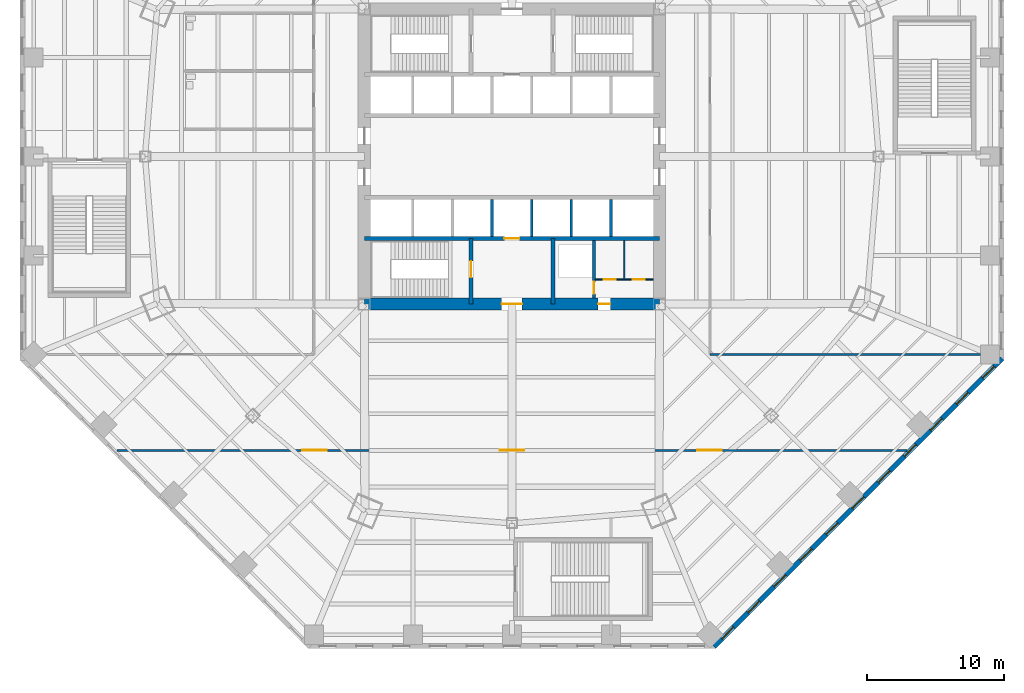
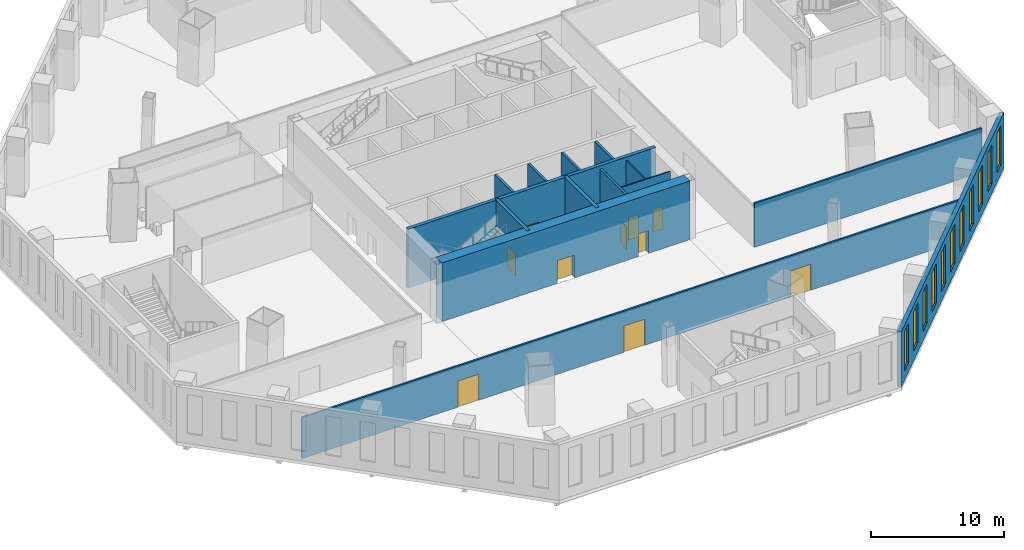
# One storey, part 9 of 18: 14 walls, 11 windows, 10 doors, 21 openings.
"""IFC4 building model written with IfcOpenShell, lengths in metres."""

from ifc_helpers import new_model, si_unit, direction, frame, frame_2d, origin, place, context, subcontext, project, spatial, rectangle, extrude, material, layer, layer_set, type_object, element, fill, save


model = new_model("IFC4")

# Units and contexts
model_context = context("Model", 3, precision=1e-05, world=origin(), true_north=direction((0.0, 1.0)))
body_context = subcontext(model_context, "Body", "Model", "MODEL_VIEW")
ifc_project = project(units=[si_unit("LENGTHUNIT", "METRE"), si_unit("AREAUNIT", "SQUARE_METRE"), si_unit("VOLUMEUNIT", "CUBIC_METRE"), si_unit("PLANEANGLEUNIT", "RADIAN"), si_unit("MASSUNIT", "GRAM", prefix="KILO")], contexts=[model_context])

# Site, building, storey
site_placement = place(None, origin())
site = spatial("IfcSite", under=ifc_project, at=site_placement, CompositionType="ELEMENT")
building_placement = place(site_placement, origin())
building = spatial("IfcBuilding", under=site, at=building_placement, Name="Mashrafa Tower", CompositionType="ELEMENT")
storey_placement = place(building_placement, frame((0.0, 0.0, 13.199951171875)))
storey = spatial("IfcBuildingStorey", under=building, at=storey_placement, Name="L02", CompositionType="ELEMENT", Elevation=13.199951171875)

# Wall, opening, door
ifc_material_1 = material(Name="Concrete masonry unit", Category="masonry")
ifc_layer_1 = layer(ifc_material_1, 0.199951171875)
ifc_layer_set_1 = layer_set([ifc_layer_1], Name="Blockwork wall 200 2 hr")
wall_type_1 = type_object("IfcWallType", Name="Blockwork wall 200 2 hr", PredefinedType="PARTITIONING", material=ifc_layer_set_1)
wall_1_placement = place(storey_placement, frame((6.0, -10.35009765625, 0.0), z_axis=(0.0, 0.0, 1.0), x_axis=(0.0, 1.0, 0.0)))
wall_1 = element("IfcWall", 1, at=wall_1_placement, inside=storey, type_object=wall_type_1, Name="Riser enclosure wall L02", PredefinedType="PARTITIONING", context=body_context, shape_type="SweptSolid", body=[
    extrude(rectangle(XDim=4.2001953125, YDim=0.199951171875, at=frame_2d((2.10009765625, 0.0))), origin(), (0.0, 0.0, 1.0), 5.10009765625),
])
opening_1_placement = place(wall_1_placement, frame((0.300048828125, 0.0, 0.0)))
opening_1 = element("IfcOpeningElement", 2, at=opening_1_placement, cuts=wall_1, Name="Opening 02.025", PredefinedType="OPENING", context=body_context, shape_type="SweptSolid", body=[
    extrude(rectangle(XDim=0.89990234375, YDim=2.10009765625, at=frame_2d((0.449951171875, 1.050048828125))), frame((0.0, 0.10986328125, 0.0), z_axis=(0.0, -1.0, 0.0), x_axis=(1.0, 0.0, 0.0)), (0.0, 0.0, 1.0), 0.219970703125),
])
ifc_material_2 = material(Name="Steel door", Category="steel")
door_type_1 = type_object("IfcDoorType", Name="Service door 900 x 2100 90 min", OperationType="USERDEFINED", PredefinedType="DOOR", material=ifc_material_2)
door_1_placement = place(opening_1_placement, origin())
door_1 = element("IfcDoor", 3, at=door_1_placement, inside=storey, type_object=door_type_1, Name="Riser door L02", OperationType="SINGLE_SWING_LEFT", OverallHeight=2.10009765625, OverallWidth=0.89990234375, PredefinedType="DOOR", context=body_context, shape_type="SweptSolid", body=[
    extrude(rectangle(XDim=0.89990234375, YDim=2.10009765625, at=frame_2d((0.449951171875, 1.050048828125))), frame((0.0, 0.02490234375, 0.0), z_axis=(0.0, -1.0, 0.0), x_axis=(1.0, 0.0, 0.0)), (0.0, 0.0, 1.0), 0.050048828125),
])
fill(opening_1, door_1)

ifc_material_3 = material(Name="Concrete C60/75", Category="concrete")
ifc_layer_2 = layer(ifc_material_3, 0.300048828125)
ifc_layer_set_2 = layer_set([ifc_layer_2], Name="Core wall 300 C60/75")
wall_type_2 = type_object("IfcWallType", Name="Core wall 300 C60/75", PredefinedType="SOLIDWALL", material=ifc_layer_set_2)
wall_2_placement = place(storey_placement, frame((-10.800048828125, -6.0, 0.0), z_axis=(0.0, 0.0, 1.0), x_axis=(1.0, 0.0, 0.0)))
wall_2 = element("IfcWall", 4, at=wall_2_placement, inside=storey, type_object=wall_type_2, Name="Core wall CB-S L02", PredefinedType="SOLIDWALL", context=body_context, shape_type="SweptSolid", body=[
    extrude(rectangle(XDim=21.60009765625, YDim=0.300048828125, at=frame_2d((10.800048828125, 0.0))), origin(), (0.0, 0.0, 1.0), 5.400146484375),
])
opening_2_placement = place(wall_2_placement, frame((10.25, 0.0, 0.0)))
opening_2 = element("IfcOpeningElement", 5, at=opening_2_placement, cuts=wall_2, Name="Opening 02.F2", PredefinedType="OPENING", context=body_context, shape_type="SweptSolid", body=[
    extrude(rectangle(XDim=1.10009765625, YDim=2.10009765625, at=frame_2d((0.550048828125, 1.050048828125))), frame((0.0, 0.159912109375, 0.0), z_axis=(0.0, -1.0, 0.0), x_axis=(1.0, 0.0, 0.0)), (0.0, 0.0, 1.0), 0.320068359375),
])
ifc_material_4 = material(Name="Steel door", Category="steel")
door_type_2 = type_object("IfcDoorType", Name="Lift landing door 1100 x 2100 90 min", OperationType="DOUBLE_DOOR_SLIDING", PredefinedType="DOOR", material=ifc_material_4)
door_2_placement = place(opening_2_placement, origin())
door_2 = element("IfcDoor", 6, at=door_2_placement, inside=storey, type_object=door_type_2, Name="Lift landing door F2 L02", OperationType="DOUBLE_DOOR_SLIDING", OverallHeight=2.10009765625, OverallWidth=1.10009765625, PredefinedType="DOOR", context=body_context, shape_type="SweptSolid", body=[
    extrude(rectangle(XDim=1.10009765625, YDim=2.10009765625, at=frame_2d((0.550048828125, 1.050048828125))), frame((0.0, 0.02490234375, 0.0), z_axis=(0.0, -1.0, 0.0), x_axis=(1.0, 0.0, 0.0)), (0.0, 0.0, 1.0), 0.050048828125),
])
fill(opening_2, door_2)

wall_3_placement = place(storey_placement, frame((-3.0, -6.0, 0.0), z_axis=(0.0, 0.0, 1.0), x_axis=(0.0, -1.0, 0.0)))
wall_3 = element("IfcWall", 7, at=wall_3_placement, inside=storey, type_object=wall_type_2, Name="Core wall CX-SW L02", PredefinedType="SOLIDWALL", context=body_context, shape_type="SweptSolid", body=[
    extrude(rectangle(XDim=4.800048828125, YDim=0.300048828125, at=frame_2d((2.39990234375, 0.0))), origin(), (0.0, 0.0, 1.0), 5.400146484375),
])
opening_3_placement = place(wall_3_placement, frame((1.64990234375, 0.0, 0.0)))
opening_3 = element("IfcOpeningElement", 8, at=opening_3_placement, cuts=wall_3, Name="Opening 02.023", PredefinedType="OPENING", context=body_context, shape_type="SweptSolid", body=[
    extrude(rectangle(XDim=1.199951171875, YDim=2.10009765625, at=frame_2d((0.60009765625, 1.050048828125))), frame((0.0, 0.159912109375, 0.0), z_axis=(0.0, -1.0, 0.0), x_axis=(1.0, 0.0, 0.0)), (0.0, 0.0, 1.0), 0.320068359375),
])
ifc_material_5 = material(Name="Steel door", Category="steel")
door_type_3 = type_object("IfcDoorType", Name="Stair door 1200 x 2100 90 min", OperationType="USERDEFINED", PredefinedType="DOOR", material=ifc_material_5)
door_3_placement = place(opening_3_placement, frame((1.199951171875, 0.0, 0.0), z_axis=(0.0, 0.0, 1.0), x_axis=(-1.0, 0.0, 0.0)))
door_3 = element("IfcDoor", 9, at=door_3_placement, inside=storey, type_object=door_type_3, Name="Stair S3 door L02", OperationType="SINGLE_SWING_RIGHT", OverallHeight=2.10009765625, OverallWidth=1.199951171875, PredefinedType="DOOR", context=body_context, shape_type="SweptSolid", body=[
    extrude(rectangle(XDim=1.199951171875, YDim=2.10009765625, at=frame_2d((0.60009765625, 1.050048828125))), frame((0.0, 0.02490234375, 0.0), z_axis=(0.0, -1.0, 0.0), x_axis=(1.0, 0.0, 0.0)), (0.0, 0.0, 1.0), 0.050048828125),
])
fill(opening_3, door_3)

# Wall
wall_4_placement = place(storey_placement, frame((3.0, -6.0, 0.0), z_axis=(0.0, 0.0, 1.0), x_axis=(0.0, -1.0, 0.0)))
element("IfcWall", 10, at=wall_4_placement, inside=storey, type_object=wall_type_2, Name="Core wall CX-SE L02", PredefinedType="SOLIDWALL", context=body_context, shape_type="SweptSolid", body=[
    extrude(rectangle(XDim=4.800048828125, YDim=0.300048828125, at=frame_2d((2.39990234375, 0.0))), origin(), (0.0, 0.0, 1.0), 5.400146484375),
])

# Wall, openings, doors
ifc_material_6 = material(Name="Concrete C60/75", Category="concrete")
ifc_layer_3 = layer(ifc_material_6, 0.89990234375)
ifc_layer_set_3 = layer_set([ifc_layer_3], Name="Core wall 900 C60/75")
wall_type_3 = type_object("IfcWallType", Name="Core wall 900 C60/75", PredefinedType="SOLIDWALL", material=ifc_layer_set_3)
wall_5_placement = place(storey_placement, frame((-10.800048828125, -10.800048828125, 0.0), z_axis=(0.0, 0.0, 1.0), x_axis=(1.0, 0.0, 0.0)))
wall_5 = element("IfcWall", 11, at=wall_5_placement, inside=storey, type_object=wall_type_3, Name="Core wall CW-S L02", PredefinedType="SOLIDWALL", context=body_context, shape_type="SweptSolid", body=[
    extrude(rectangle(XDim=21.60009765625, YDim=0.89990234375, at=frame_2d((10.800048828125, 0.0))), origin(), (0.0, 0.0, 1.0), 5.400146484375),
])
opening_4_placement = place(wall_5_placement, frame((10.050048828125, 0.0, 0.0)))
opening_4 = element("IfcOpeningElement", 12, at=opening_4_placement, cuts=wall_5, Name="Opening 02.020", PredefinedType="OPENING", context=body_context, shape_type="SweptSolid", body=[
    extrude(rectangle(XDim=1.5, YDim=2.10009765625, at=frame_2d((0.75, 1.050048828125))), frame((0.0, 0.4599609375, 0.0), z_axis=(0.0, -1.0, 0.0), x_axis=(1.0, 0.0, 0.0)), (0.0, 0.0, 1.0), 0.919921875),
])
opening_5_placement = place(wall_5_placement, frame((17.10009765625, 0.0, 0.0)))
opening_5 = element("IfcOpeningElement", 13, at=opening_5_placement, cuts=wall_5, Name="Opening 02.024", PredefinedType="OPENING", context=body_context, shape_type="SweptSolid", body=[
    extrude(rectangle(XDim=0.89990234375, YDim=2.10009765625, at=frame_2d((0.449951171875, 1.050048828125))), frame((0.0, 0.4599609375, 0.0), z_axis=(0.0, -1.0, 0.0), x_axis=(1.0, 0.0, 0.0)), (0.0, 0.0, 1.0), 0.919921875),
])
ifc_material_7 = material(Name="Steel door", Category="steel")
door_type_4 = type_object("IfcDoorType", Name="Lobby door pair 1500 x 2100 90 min", OperationType="DOUBLE_DOOR_SINGLE_SWING", PredefinedType="DOOR", material=ifc_material_7)
door_4_placement = place(opening_4_placement, origin())
door_4 = element("IfcDoor", 14, at=door_4_placement, inside=storey, type_object=door_type_4, Name="Fire-fighting lobby F2 door L02", OperationType="DOUBLE_DOOR_SINGLE_SWING", OverallHeight=2.10009765625, OverallWidth=1.5, PredefinedType="DOOR", context=body_context, shape_type="SweptSolid", body=[
    extrude(rectangle(XDim=1.5, YDim=2.10009765625, at=frame_2d((0.75, 1.050048828125))), frame((0.0, 0.02490234375, 0.0), z_axis=(0.0, -1.0, 0.0), x_axis=(1.0, 0.0, 0.0)), (0.0, 0.0, 1.0), 0.050048828125),
])
fill(opening_4, door_4)
door_5_placement = place(opening_5_placement, frame((0.89990234375, 0.0, 0.0), z_axis=(0.0, 0.0, 1.0), x_axis=(-1.0, 0.0, 0.0)))
door_5 = element("IfcDoor", 15, at=door_5_placement, inside=storey, type_object=door_type_1, Name="Services Lobby L02 door", OperationType="SINGLE_SWING_LEFT", OverallHeight=2.10009765625, OverallWidth=0.89990234375, PredefinedType="DOOR", context=body_context, shape_type="SweptSolid", body=[
    extrude(rectangle(XDim=0.89990234375, YDim=2.10009765625, at=frame_2d((0.449951171875, 1.050048828125))), frame((0.0, 0.02490234375, 0.0), z_axis=(0.0, -1.0, 0.0), x_axis=(1.0, 0.0, 0.0)), (0.0, 0.0, 1.0), 0.050048828125),
])
fill(opening_5, door_5)

# Wall
ifc_material_8 = material(Name="Gypsum board on steel studs", Category="steel")
ifc_layer_4 = layer(ifc_material_8, 0.14990234375)
ifc_layer_set_4 = layer_set([ifc_layer_4], Name="Corridor partition 150 1 hr")
wall_type_4 = type_object("IfcWallType", Name="Corridor partition 150 1 hr", PredefinedType="PARTITIONING", material=ifc_layer_set_4)
wall_6_placement = place(storey_placement, frame((14.5, -14.5, 0.0), z_axis=(0.0, 0.0, 1.0), x_axis=(1.0, 0.0, 0.0)))
element("IfcWall", 16, at=wall_6_placement, inside=storey, type_object=wall_type_4, Name="Corridor wall L02-015", PredefinedType="PARTITIONING", context=body_context, shape_type="SweptSolid", body=[
    extrude(rectangle(XDim=19.781005859375, YDim=0.14990234375, at=frame_2d((9.890625, 0.0))), origin(), (0.0, 0.0, 1.0), 4.048583984375),
])

# Wall, openings, doors
wall_7_placement = place(storey_placement, frame((-28.916748046875, -21.5, 0.0), z_axis=(0.0, 0.0, 1.0), x_axis=(1.0, 0.0, 0.0)))
wall_7 = element("IfcWall", 17, at=wall_7_placement, inside=storey, type_object=wall_type_4, Name="Corridor wall L02-018", PredefinedType="PARTITIONING", context=body_context, shape_type="SweptSolid", body=[
    extrude(rectangle(XDim=57.83349609375, YDim=0.14990234375, at=frame_2d((28.916748046875, 0.0))), origin(), (0.0, 0.0, 1.0), 3.7900390625),
])
opening_6_placement = place(wall_7_placement, frame((13.558349609375, 0.0, 0.0)))
opening_6 = element("IfcOpeningElement", 18, at=opening_6_placement, cuts=wall_7, Name="Opening 02.012", PredefinedType="OPENING", context=body_context, shape_type="SweptSolid", body=[
    extrude(rectangle(XDim=1.800048828125, YDim=2.39990234375, at=frame_2d((0.89990234375, 1.199951171875))), frame((0.0, 0.0849609375, 0.0), z_axis=(0.0, -1.0, 0.0), x_axis=(1.0, 0.0, 0.0)), (0.0, 0.0, 1.0), 0.169921875),
])
opening_7_placement = place(wall_7_placement, frame((28.0166015625, 0.0, 0.0)))
opening_7 = element("IfcOpeningElement", 19, at=opening_7_placement, cuts=wall_7, Name="Opening 02.013", PredefinedType="OPENING", context=body_context, shape_type="SweptSolid", body=[
    extrude(rectangle(XDim=1.800048828125, YDim=2.39990234375, at=frame_2d((0.89990234375, 1.199951171875))), frame((0.0, 0.0849609375, 0.0), z_axis=(0.0, -1.0, 0.0), x_axis=(1.0, 0.0, 0.0)), (0.0, 0.0, 1.0), 0.169921875),
])
opening_8_placement = place(wall_7_placement, frame((42.47509765625, 0.0, 0.0)))
opening_8 = element("IfcOpeningElement", 20, at=opening_8_placement, cuts=wall_7, Name="Opening 02.014", PredefinedType="OPENING", context=body_context, shape_type="SweptSolid", body=[
    extrude(rectangle(XDim=1.800048828125, YDim=2.39990234375, at=frame_2d((0.89990234375, 1.199951171875))), frame((0.0, 0.0849609375, 0.0), z_axis=(0.0, -1.0, 0.0), x_axis=(1.0, 0.0, 0.0)), (0.0, 0.0, 1.0), 0.169921875),
])
ifc_material_9 = material(Name="Timber door", Category="wood")
door_type_5 = type_object("IfcDoorType", Name="Door pair 1800 x 2400", OperationType="DOUBLE_DOOR_SINGLE_SWING", PredefinedType="DOOR", material=ifc_material_9)
door_6_placement = place(opening_6_placement, frame((1.800048828125, 0.0, 0.0), z_axis=(0.0, 0.0, 1.0), x_axis=(-1.0, 0.0, 0.0)))
door_6 = element("IfcDoor", 21, at=door_6_placement, inside=storey, type_object=door_type_5, Name="Conference Hall L02 door", OperationType="DOUBLE_DOOR_SINGLE_SWING", OverallHeight=2.39990234375, OverallWidth=1.800048828125, PredefinedType="DOOR", context=body_context, shape_type="SweptSolid", body=[
    extrude(rectangle(XDim=1.800048828125, YDim=2.39990234375, at=frame_2d((0.89990234375, 1.199951171875))), frame((0.0, 0.02490234375, 0.0), z_axis=(0.0, -1.0, 0.0), x_axis=(1.0, 0.0, 0.0)), (0.0, 0.0, 1.0), 0.050048828125),
])
fill(opening_6, door_6)
door_7_placement = place(opening_7_placement, frame((1.800048828125, 0.0, 0.0), z_axis=(0.0, 0.0, 1.0), x_axis=(-1.0, 0.0, 0.0)))
door_7 = element("IfcDoor", 22, at=door_7_placement, inside=storey, type_object=door_type_5, Name="Conference Hall L02 door", OperationType="DOUBLE_DOOR_SINGLE_SWING", OverallHeight=2.39990234375, OverallWidth=1.800048828125, PredefinedType="DOOR", context=body_context, shape_type="SweptSolid", body=[
    extrude(rectangle(XDim=1.800048828125, YDim=2.39990234375, at=frame_2d((0.89990234375, 1.199951171875))), frame((0.0, 0.02490234375, 0.0), z_axis=(0.0, -1.0, 0.0), x_axis=(1.0, 0.0, 0.0)), (0.0, 0.0, 1.0), 0.050048828125),
])
fill(opening_7, door_7)
door_8_placement = place(opening_8_placement, frame((1.800048828125, 0.0, 0.0), z_axis=(0.0, 0.0, 1.0), x_axis=(-1.0, 0.0, 0.0)))
door_8 = element("IfcDoor", 23, at=door_8_placement, inside=storey, type_object=door_type_5, Name="Conference Hall L02 door", OperationType="DOUBLE_DOOR_SINGLE_SWING", OverallHeight=2.39990234375, OverallWidth=1.800048828125, PredefinedType="DOOR", context=body_context, shape_type="SweptSolid", body=[
    extrude(rectangle(XDim=1.800048828125, YDim=2.39990234375, at=frame_2d((0.89990234375, 1.199951171875))), frame((0.0, 0.02490234375, 0.0), z_axis=(0.0, -1.0, 0.0), x_axis=(1.0, 0.0, 0.0)), (0.0, 0.0, 1.0), 0.050048828125),
])
fill(opening_8, door_8)

# Wall, openings, windows
ifc_material_10 = material(Name="Riyadh limestone cladding on blockwork", Category="masonry")
ifc_layer_5 = layer(ifc_material_10, 0.35009765625)
ifc_layer_set_5 = layer_set([ifc_layer_5], Name="Limestone-clad external wall 350")
wall_type_5 = type_object("IfcWallType", Name="Limestone-clad external wall 350", PredefinedType="SOLIDWALL", material=ifc_layer_set_5)
wall_8_placement = place(storey_placement, frame((14.787841796875, -35.876220703125, 0.0), z_axis=(0.0, 0.0, 1.0), x_axis=(0.707106781187, 0.707106781187, 0.0)))
wall_8 = element("IfcWall", 24, at=wall_8_placement, inside=storey, type_object=wall_type_5, Name="Limestone-clad external wall L02 south-east", PredefinedType="SOLIDWALL", context=body_context, shape_type="SweptSolid", body=[
    extrude(rectangle(XDim=29.823486328125, YDim=0.35009765625, at=frame_2d((14.91162109375, 0.0))), origin(), (0.0, 0.0, 1.0), 5.10009765625),
])
opening_9_placement = place(wall_8_placement, frame((0.821533203125, 0.0, 0.89990234375)))
opening_9 = element("IfcOpeningElement", 25, at=opening_9_placement, cuts=wall_8, Name="Opening W2", PredefinedType="OPENING", context=body_context, shape_type="SweptSolid", body=[
    extrude(rectangle(XDim=1.199951171875, YDim=3.60009765625, at=frame_2d((0.60009765625, 1.800048828125))), frame((0.0, 0.18505859375, 0.0), z_axis=(0.0, -1.0, 0.0), x_axis=(1.0, 0.0, 0.0)), (0.0, 0.0, 1.0), 0.3701171875),
])
opening_10_placement = place(wall_8_placement, frame((3.51953125, 0.0, 0.89990234375)))
opening_10 = element("IfcOpeningElement", 26, at=opening_10_placement, cuts=wall_8, Name="Opening W2", PredefinedType="OPENING", context=body_context, shape_type="SweptSolid", body=[
    extrude(rectangle(XDim=1.199951171875, YDim=3.60009765625, at=frame_2d((0.60009765625, 1.800048828125))), frame((0.0, 0.18505859375, 0.0), z_axis=(0.0, -1.0, 0.0), x_axis=(1.0, 0.0, 0.0)), (0.0, 0.0, 1.0), 0.3701171875),
])
opening_11_placement = place(wall_8_placement, frame((6.217529296875, 0.0, 0.89990234375)))
opening_11 = element("IfcOpeningElement", 27, at=opening_11_placement, cuts=wall_8, Name="Opening W2", PredefinedType="OPENING", context=body_context, shape_type="SweptSolid", body=[
    extrude(rectangle(XDim=1.199951171875, YDim=3.60009765625, at=frame_2d((0.60009765625, 1.800048828125))), frame((0.0, 0.18505859375, 0.0), z_axis=(0.0, -1.0, 0.0), x_axis=(1.0, 0.0, 0.0)), (0.0, 0.0, 1.0), 0.3701171875),
])
opening_12_placement = place(wall_8_placement, frame((8.91552734375, 0.0, 0.89990234375)))
opening_12 = element("IfcOpeningElement", 28, at=opening_12_placement, cuts=wall_8, Name="Opening W2", PredefinedType="OPENING", context=body_context, shape_type="SweptSolid", body=[
    extrude(rectangle(XDim=1.199951171875, YDim=3.60009765625, at=frame_2d((0.60009765625, 1.800048828125))), frame((0.0, 0.18505859375, 0.0), z_axis=(0.0, -1.0, 0.0), x_axis=(1.0, 0.0, 0.0)), (0.0, 0.0, 1.0), 0.3701171875),
])
opening_13_placement = place(wall_8_placement, frame((11.61376953125, 0.0, 0.89990234375)))
opening_13 = element("IfcOpeningElement", 29, at=opening_13_placement, cuts=wall_8, Name="Opening W2", PredefinedType="OPENING", context=body_context, shape_type="SweptSolid", body=[
    extrude(rectangle(XDim=1.199951171875, YDim=3.60009765625, at=frame_2d((0.60009765625, 1.800048828125))), frame((0.0, 0.18505859375, 0.0), z_axis=(0.0, -1.0, 0.0), x_axis=(1.0, 0.0, 0.0)), (0.0, 0.0, 1.0), 0.3701171875),
])
opening_14_placement = place(wall_8_placement, frame((14.311767578125, 0.0, 0.89990234375)))
opening_14 = element("IfcOpeningElement", 30, at=opening_14_placement, cuts=wall_8, Name="Opening W2", PredefinedType="OPENING", context=body_context, shape_type="SweptSolid", body=[
    extrude(rectangle(XDim=1.199951171875, YDim=3.60009765625, at=frame_2d((0.60009765625, 1.800048828125))), frame((0.0, 0.18505859375, 0.0), z_axis=(0.0, -1.0, 0.0), x_axis=(1.0, 0.0, 0.0)), (0.0, 0.0, 1.0), 0.3701171875),
])
opening_15_placement = place(wall_8_placement, frame((17.009765625, 0.0, 0.89990234375)))
opening_15 = element("IfcOpeningElement", 31, at=opening_15_placement, cuts=wall_8, Name="Opening W2", PredefinedType="OPENING", context=body_context, shape_type="SweptSolid", body=[
    extrude(rectangle(XDim=1.199951171875, YDim=3.60009765625, at=frame_2d((0.60009765625, 1.800048828125))), frame((0.0, 0.18505859375, 0.0), z_axis=(0.0, -1.0, 0.0), x_axis=(1.0, 0.0, 0.0)), (0.0, 0.0, 1.0), 0.3701171875),
])
opening_16_placement = place(wall_8_placement, frame((19.707763671875, 0.0, 0.89990234375)))
opening_16 = element("IfcOpeningElement", 32, at=opening_16_placement, cuts=wall_8, Name="Opening W2", PredefinedType="OPENING", context=body_context, shape_type="SweptSolid", body=[
    extrude(rectangle(XDim=1.199951171875, YDim=3.60009765625, at=frame_2d((0.60009765625, 1.800048828125))), frame((0.0, 0.18505859375, 0.0), z_axis=(0.0, -1.0, 0.0), x_axis=(1.0, 0.0, 0.0)), (0.0, 0.0, 1.0), 0.3701171875),
])
opening_17_placement = place(wall_8_placement, frame((22.40576171875, 0.0, 0.89990234375)))
opening_17 = element("IfcOpeningElement", 33, at=opening_17_placement, cuts=wall_8, Name="Opening W2", PredefinedType="OPENING", context=body_context, shape_type="SweptSolid", body=[
    extrude(rectangle(XDim=1.199951171875, YDim=3.60009765625, at=frame_2d((0.60009765625, 1.800048828125))), frame((0.0, 0.18505859375, 0.0), z_axis=(0.0, -1.0, 0.0), x_axis=(1.0, 0.0, 0.0)), (0.0, 0.0, 1.0), 0.3701171875),
])
opening_18_placement = place(wall_8_placement, frame((25.103759765625, 0.0, 0.89990234375)))
opening_18 = element("IfcOpeningElement", 34, at=opening_18_placement, cuts=wall_8, Name="Opening W2", PredefinedType="OPENING", context=body_context, shape_type="SweptSolid", body=[
    extrude(rectangle(XDim=1.199951171875, YDim=3.60009765625, at=frame_2d((0.60009765625, 1.800048828125))), frame((0.0, 0.18505859375, 0.0), z_axis=(0.0, -1.0, 0.0), x_axis=(1.0, 0.0, 0.0)), (0.0, 0.0, 1.0), 0.3701171875),
])
opening_19_placement = place(wall_8_placement, frame((27.8017578125, 0.0, 0.89990234375)))
opening_19 = element("IfcOpeningElement", 35, at=opening_19_placement, cuts=wall_8, Name="Opening W2", PredefinedType="OPENING", context=body_context, shape_type="SweptSolid", body=[
    extrude(rectangle(XDim=1.199951171875, YDim=3.60009765625, at=frame_2d((0.60009765625, 1.800048828125))), frame((0.0, 0.18505859375, 0.0), z_axis=(0.0, -1.0, 0.0), x_axis=(1.0, 0.0, 0.0)), (0.0, 0.0, 1.0), 0.3701171875),
])
ifc_material_11 = material(Name="Bronze-framed insulated glazing", Category="glass")
window_type = type_object("IfcWindowType", Name="Tall punched window 1200 x 3600", PartitioningType="DOUBLE_PANEL_HORIZONTAL", PredefinedType="WINDOW", material=ifc_material_11)
window_1_placement = place(opening_9_placement, origin())
window_1 = element("IfcWindow", 36, at=window_1_placement, inside=storey, type_object=window_type, Name="Window W2 L02 south-east bay 1", OverallHeight=3.60009765625, OverallWidth=1.199951171875, PartitioningType="SINGLE_PANEL", PredefinedType="WINDOW", context=body_context, shape_type="SweptSolid", body=[
    extrude(rectangle(XDim=1.199951171875, YDim=3.60009765625, at=frame_2d((0.60009765625, 1.800048828125))), frame((0.0, 0.030029296875, 0.0), z_axis=(0.0, -1.0, 0.0), x_axis=(1.0, 0.0, 0.0)), (0.0, 0.0, 1.0), 0.06005859375),
])
fill(opening_9, window_1)
window_2_placement = place(opening_10_placement, origin())
window_2 = element("IfcWindow", 37, at=window_2_placement, inside=storey, type_object=window_type, Name="Window W2 L02 south-east bay 2", OverallHeight=3.60009765625, OverallWidth=1.199951171875, PartitioningType="SINGLE_PANEL", PredefinedType="WINDOW", context=body_context, shape_type="SweptSolid", body=[
    extrude(rectangle(XDim=1.199951171875, YDim=3.60009765625, at=frame_2d((0.60009765625, 1.800048828125))), frame((0.0, 0.030029296875, 0.0), z_axis=(0.0, -1.0, 0.0), x_axis=(1.0, 0.0, 0.0)), (0.0, 0.0, 1.0), 0.06005859375),
])
fill(opening_10, window_2)
window_3_placement = place(opening_11_placement, origin())
window_3 = element("IfcWindow", 38, at=window_3_placement, inside=storey, type_object=window_type, Name="Window W2 L02 south-east bay 3", OverallHeight=3.60009765625, OverallWidth=1.199951171875, PartitioningType="SINGLE_PANEL", PredefinedType="WINDOW", context=body_context, shape_type="SweptSolid", body=[
    extrude(rectangle(XDim=1.199951171875, YDim=3.60009765625, at=frame_2d((0.60009765625, 1.800048828125))), frame((0.0, 0.030029296875, 0.0), z_axis=(0.0, -1.0, 0.0), x_axis=(1.0, 0.0, 0.0)), (0.0, 0.0, 1.0), 0.06005859375),
])
fill(opening_11, window_3)
window_4_placement = place(opening_12_placement, origin())
window_4 = element("IfcWindow", 39, at=window_4_placement, inside=storey, type_object=window_type, Name="Window W2 L02 south-east bay 4", OverallHeight=3.60009765625, OverallWidth=1.199951171875, PartitioningType="SINGLE_PANEL", PredefinedType="WINDOW", context=body_context, shape_type="SweptSolid", body=[
    extrude(rectangle(XDim=1.199951171875, YDim=3.60009765625, at=frame_2d((0.60009765625, 1.800048828125))), frame((0.0, 0.030029296875, 0.0), z_axis=(0.0, -1.0, 0.0), x_axis=(1.0, 0.0, 0.0)), (0.0, 0.0, 1.0), 0.06005859375),
])
fill(opening_12, window_4)
window_5_placement = place(opening_13_placement, origin())
window_5 = element("IfcWindow", 40, at=window_5_placement, inside=storey, type_object=window_type, Name="Window W2 L02 south-east bay 5", OverallHeight=3.60009765625, OverallWidth=1.199951171875, PartitioningType="SINGLE_PANEL", PredefinedType="WINDOW", context=body_context, shape_type="SweptSolid", body=[
    extrude(rectangle(XDim=1.199951171875, YDim=3.60009765625, at=frame_2d((0.60009765625, 1.800048828125))), frame((0.0, 0.030029296875, 0.0), z_axis=(0.0, -1.0, 0.0), x_axis=(1.0, 0.0, 0.0)), (0.0, 0.0, 1.0), 0.06005859375),
])
fill(opening_13, window_5)
window_6_placement = place(opening_14_placement, origin())
window_6 = element("IfcWindow", 41, at=window_6_placement, inside=storey, type_object=window_type, Name="Window W2 L02 south-east bay 6", OverallHeight=3.60009765625, OverallWidth=1.199951171875, PartitioningType="SINGLE_PANEL", PredefinedType="WINDOW", context=body_context, shape_type="SweptSolid", body=[
    extrude(rectangle(XDim=1.199951171875, YDim=3.60009765625, at=frame_2d((0.60009765625, 1.800048828125))), frame((0.0, 0.030029296875, 0.0), z_axis=(0.0, -1.0, 0.0), x_axis=(1.0, 0.0, 0.0)), (0.0, 0.0, 1.0), 0.06005859375),
])
fill(opening_14, window_6)
window_7_placement = place(opening_15_placement, origin())
window_7 = element("IfcWindow", 42, at=window_7_placement, inside=storey, type_object=window_type, Name="Window W2 L02 south-east bay 7", OverallHeight=3.60009765625, OverallWidth=1.199951171875, PartitioningType="SINGLE_PANEL", PredefinedType="WINDOW", context=body_context, shape_type="SweptSolid", body=[
    extrude(rectangle(XDim=1.199951171875, YDim=3.60009765625, at=frame_2d((0.60009765625, 1.800048828125))), frame((0.0, 0.030029296875, 0.0), z_axis=(0.0, -1.0, 0.0), x_axis=(1.0, 0.0, 0.0)), (0.0, 0.0, 1.0), 0.06005859375),
])
fill(opening_15, window_7)
window_8_placement = place(opening_16_placement, origin())
window_8 = element("IfcWindow", 43, at=window_8_placement, inside=storey, type_object=window_type, Name="Window W2 L02 south-east bay 8", OverallHeight=3.60009765625, OverallWidth=1.199951171875, PartitioningType="SINGLE_PANEL", PredefinedType="WINDOW", context=body_context, shape_type="SweptSolid", body=[
    extrude(rectangle(XDim=1.199951171875, YDim=3.60009765625, at=frame_2d((0.60009765625, 1.800048828125))), frame((0.0, 0.030029296875, 0.0), z_axis=(0.0, -1.0, 0.0), x_axis=(1.0, 0.0, 0.0)), (0.0, 0.0, 1.0), 0.06005859375),
])
fill(opening_16, window_8)
window_9_placement = place(opening_17_placement, origin())
window_9 = element("IfcWindow", 44, at=window_9_placement, inside=storey, type_object=window_type, Name="Window W2 L02 south-east bay 9", OverallHeight=3.60009765625, OverallWidth=1.199951171875, PartitioningType="SINGLE_PANEL", PredefinedType="WINDOW", context=body_context, shape_type="SweptSolid", body=[
    extrude(rectangle(XDim=1.199951171875, YDim=3.60009765625, at=frame_2d((0.60009765625, 1.800048828125))), frame((0.0, 0.030029296875, 0.0), z_axis=(0.0, -1.0, 0.0), x_axis=(1.0, 0.0, 0.0)), (0.0, 0.0, 1.0), 0.06005859375),
])
fill(opening_17, window_9)
window_10_placement = place(opening_18_placement, origin())
window_10 = element("IfcWindow", 45, at=window_10_placement, inside=storey, type_object=window_type, Name="Window W2 L02 south-east bay 10", OverallHeight=3.60009765625, OverallWidth=1.199951171875, PartitioningType="SINGLE_PANEL", PredefinedType="WINDOW", context=body_context, shape_type="SweptSolid", body=[
    extrude(rectangle(XDim=1.199951171875, YDim=3.60009765625, at=frame_2d((0.60009765625, 1.800048828125))), frame((0.0, 0.030029296875, 0.0), z_axis=(0.0, -1.0, 0.0), x_axis=(1.0, 0.0, 0.0)), (0.0, 0.0, 1.0), 0.06005859375),
])
fill(opening_18, window_10)
window_11_placement = place(opening_19_placement, origin())
window_11 = element("IfcWindow", 46, at=window_11_placement, inside=storey, type_object=window_type, Name="Window W2 L02 south-east bay 11", OverallHeight=3.60009765625, OverallWidth=1.199951171875, PartitioningType="SINGLE_PANEL", PredefinedType="WINDOW", context=body_context, shape_type="SweptSolid", body=[
    extrude(rectangle(XDim=1.199951171875, YDim=3.60009765625, at=frame_2d((0.60009765625, 1.800048828125))), frame((0.0, 0.030029296875, 0.0), z_axis=(0.0, -1.0, 0.0), x_axis=(1.0, 0.0, 0.0)), (0.0, 0.0, 1.0), 0.06005859375),
])
fill(opening_19, window_11)

# Wall, openings, doors
ifc_material_12 = material(Name="Gypsum board on steel studs", Category="steel")
ifc_layer_6 = layer(ifc_material_12, 0.10009765625)
ifc_layer_set_6 = layer_set([ifc_layer_6], Name="Partition 100 1 hr")
wall_type_6 = type_object("IfcWallType", Name="Partition 100 1 hr", PredefinedType="PARTITIONING", material=ifc_layer_set_6)
wall_9_placement = place(storey_placement, frame((6.10009765625, -9.0, 0.0), z_axis=(0.0, 0.0, 1.0), x_axis=(1.0, 0.0, 0.0)))
wall_9 = element("IfcWall", 47, at=wall_9_placement, inside=storey, type_object=wall_type_6, Name="Services lobby partition A L02", PredefinedType="PARTITIONING", context=body_context, shape_type="SweptSolid", body=[
    extrude(rectangle(XDim=4.25, YDim=0.10009765625, at=frame_2d((2.125, 0.0))), origin(), (0.0, 0.0, 1.0), 5.10009765625),
])
opening_20_placement = place(wall_9_placement, frame((0.612548828125, 0.0, 0.0)))
opening_20 = element("IfcOpeningElement", 48, at=opening_20_placement, cuts=wall_9, Name="Opening 02.026", PredefinedType="OPENING", context=body_context, shape_type="SweptSolid", body=[
    extrude(rectangle(XDim=0.89990234375, YDim=2.10009765625, at=frame_2d((0.449951171875, 1.050048828125))), frame((0.0, 0.06005859375, 0.0), z_axis=(0.0, -1.0, 0.0), x_axis=(1.0, 0.0, 0.0)), (0.0, 0.0, 1.0), 0.1201171875),
])
opening_21_placement = place(wall_9_placement, frame((2.737548828125, 0.0, 0.0)))
opening_21 = element("IfcOpeningElement", 49, at=opening_21_placement, cuts=wall_9, Name="Opening 02.027", PredefinedType="OPENING", context=body_context, shape_type="SweptSolid", body=[
    extrude(rectangle(XDim=0.89990234375, YDim=2.10009765625, at=frame_2d((0.449951171875, 1.050048828125))), frame((0.0, 0.06005859375, 0.0), z_axis=(0.0, -1.0, 0.0), x_axis=(1.0, 0.0, 0.0)), (0.0, 0.0, 1.0), 0.1201171875),
])
ifc_material_13 = material(Name="Timber door", Category="wood")
door_type_6 = type_object("IfcDoorType", Name="Store door 900 x 2100", OperationType="USERDEFINED", PredefinedType="DOOR", material=ifc_material_13)
door_9_placement = place(opening_20_placement, origin())
door_9 = element("IfcDoor", 50, at=door_9_placement, inside=storey, type_object=door_type_6, Name="Conference Store L02 door", OperationType="SINGLE_SWING_RIGHT", OverallHeight=2.10009765625, OverallWidth=0.89990234375, PredefinedType="DOOR", context=body_context, shape_type="SweptSolid", body=[
    extrude(rectangle(XDim=0.89990234375, YDim=2.10009765625, at=frame_2d((0.449951171875, 1.050048828125))), frame((0.0, 0.02490234375, 0.0), z_axis=(0.0, -1.0, 0.0), x_axis=(1.0, 0.0, 0.0)), (0.0, 0.0, 1.0), 0.050048828125),
])
fill(opening_20, door_9)
door_10_placement = place(opening_21_placement, origin())
door_10 = element("IfcDoor", 51, at=door_10_placement, inside=storey, type_object=door_type_6, Name="Building Services Store L02 door", OperationType="SINGLE_SWING_LEFT", OverallHeight=2.10009765625, OverallWidth=0.89990234375, PredefinedType="DOOR", context=body_context, shape_type="SweptSolid", body=[
    extrude(rectangle(XDim=0.89990234375, YDim=2.10009765625, at=frame_2d((0.449951171875, 1.050048828125))), frame((0.0, 0.02490234375, 0.0), z_axis=(0.0, -1.0, 0.0), x_axis=(1.0, 0.0, 0.0)), (0.0, 0.0, 1.0), 0.050048828125),
])
fill(opening_21, door_10)

# Walls
wall_10_placement = place(storey_placement, frame((8.22509765625, -9.0, 0.0), z_axis=(0.0, 0.0, 1.0), x_axis=(0.0, 1.0, 0.0)))
element("IfcWall", 52, at=wall_10_placement, inside=storey, type_object=wall_type_6, Name="Services lobby partition B L02", PredefinedType="PARTITIONING", context=body_context, shape_type="SweptSolid", body=[
    extrude(rectangle(XDim=2.85009765625, YDim=0.10009765625, at=frame_2d((1.425048828125, 0.0))), origin(), (0.0, 0.0, 1.0), 5.10009765625),
])
ifc_material_14 = material(Name="Gypsum shaft wall on steel studs", Category="steel")
ifc_layer_7 = layer(ifc_material_14, 0.199951171875)
ifc_layer_set_7 = layer_set([ifc_layer_7], Name="Shaft divider wall 200 2 hr")
wall_type_7 = type_object("IfcWallType", Name="Shaft divider wall 200 2 hr", PredefinedType="PARTITIONING", material=ifc_layer_set_7)
for number, where, z_axis, x_axis, name in (
    (53, (-1.449951171875, -5.85009765625, 0.0), (0.0, 0.0, 1.0), (0.0, 1.0, 0.0), "Shaft divider wall S3 L02"),
    (54, (1.449951171875, -5.85009765625, 0.0), (0.0, 0.0, 1.0), (0.0, 1.0, 0.0), "Shaft divider wall S4 L02"),
    (55, (4.35009765625, -5.85009765625, 0.0), (0.0, 0.0, 1.0), (0.0, 1.0, 0.0), "Shaft divider wall S5 L02"),
    (56, (7.25, -5.85009765625, 0.0), (0.0, 0.0, 1.0), (0.0, 1.0, 0.0), "Shaft divider wall S6 L02"),
):
    element("IfcWall", number, at=place(storey_placement, frame(where, z_axis=z_axis, x_axis=x_axis)), inside=storey, type_object=wall_type_7, Name=name, PredefinedType="PARTITIONING", context=body_context, shape_type="SweptSolid", body=[
        extrude(rectangle(XDim=2.7001953125, YDim=0.199951171875, at=frame_2d((1.35009765625, 0.0))), origin(), (0.0, 0.0, 1.0), 5.400146484375),
    ])

save(model, "model.ifc")
